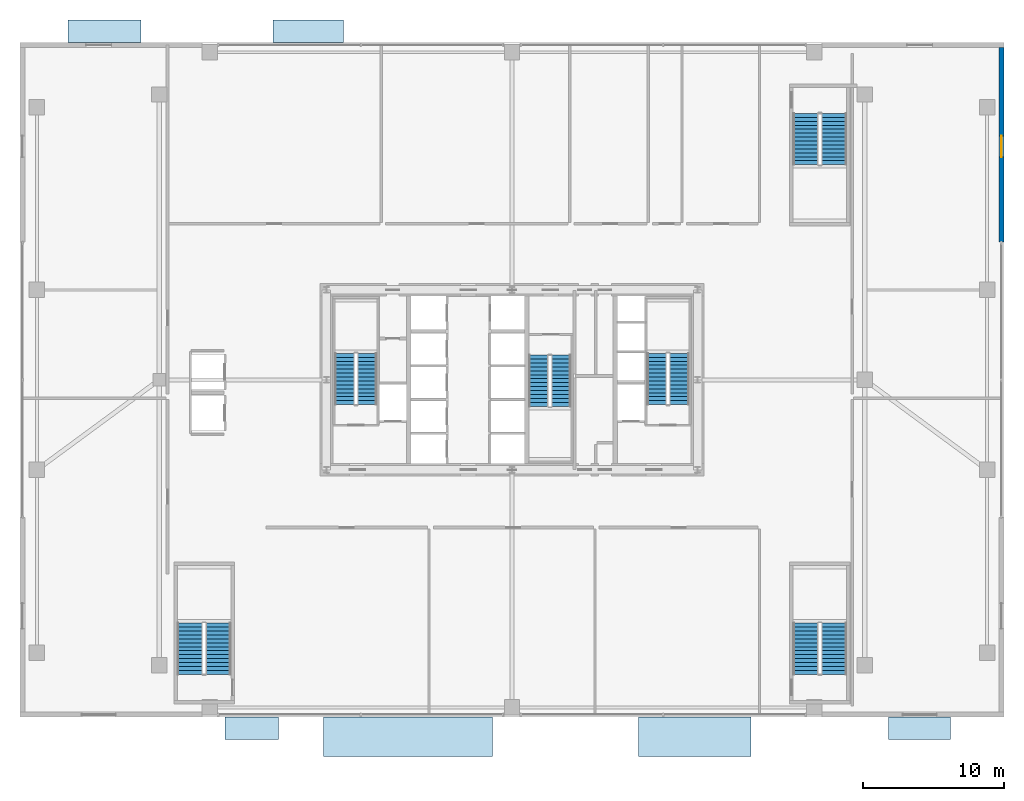
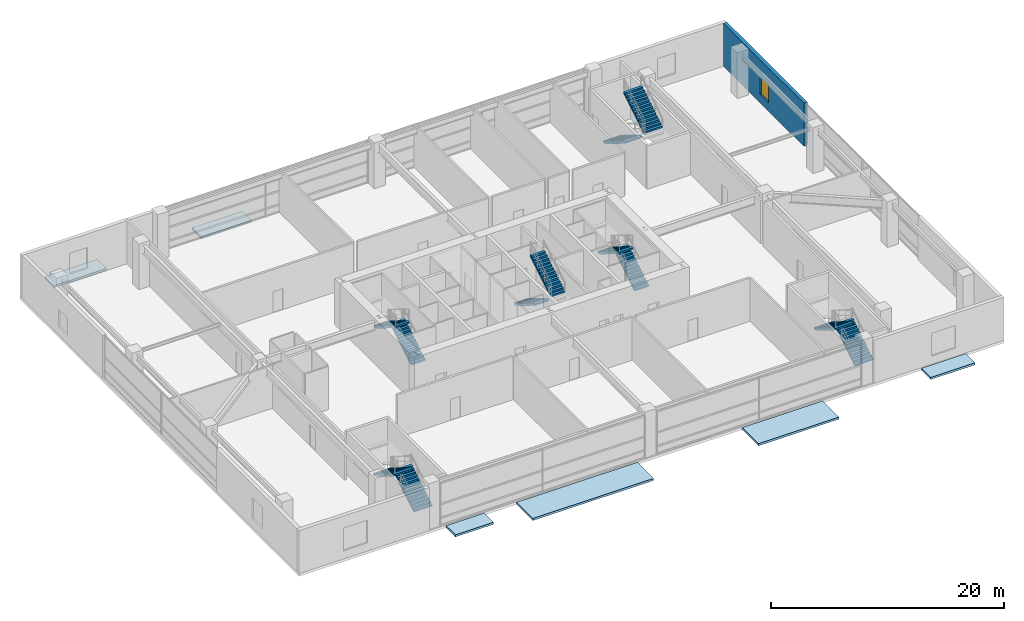
# One storey, part 34 of 37: 12 stair flights, 6 roofs, 1 wall, 1 window, 1 opening, 6 elements without a shape of their own.
"""IFC4 building model written with IfcOpenShell, lengths in metres."""

from ifc_helpers import new_model, si_unit, direction, frame, frame_2d, origin, place, context, subcontext, project, spatial, polyline, rectangle, outline, extrude, source, transform, mapped, material, layer, layer_set, type_object, element, fill, aggregate, save


model = new_model("IFC4")

# Units and contexts
model_context = context("Model", 3, precision=1e-05, world=origin(), true_north=direction((0.0, 1.0)))
body_context = subcontext(model_context, "Body", "Model", "MODEL_VIEW")
ifc_project = project(units=[si_unit("LENGTHUNIT", "METRE"), si_unit("AREAUNIT", "SQUARE_METRE"), si_unit("VOLUMEUNIT", "CUBIC_METRE"), si_unit("PLANEANGLEUNIT", "RADIAN"), si_unit("MASSUNIT", "GRAM", prefix="KILO"), si_unit("THERMODYNAMICTEMPERATUREUNIT", "KELVIN"), si_unit("POWERUNIT", "WATT")], contexts=[model_context])

# Site, building, storey
site_placement = place(None, origin())
site = spatial("IfcSite", under=ifc_project, at=site_placement, CompositionType="ELEMENT")
building_placement = place(site_placement, origin())
building = spatial("IfcBuilding", under=site, at=building_placement, Name="Yuzanri Waterfront Tower", CompositionType="ELEMENT")
storey_placement = place(building_placement, frame((0.0, 0.0, 5.39990234375)))
storey = spatial("IfcBuildingStorey", under=building, at=storey_placement, Name="L02", CompositionType="ELEMENT", Elevation=5.39990234375)

# Wall, opening, window
ifc_material_1 = material(Name="Honed Chongqing Dark Basalt Stone", Category="masonry")
ifc_layer_1 = layer(ifc_material_1, 0.360107421875)
ifc_layer_set_1 = layer_set([ifc_layer_1], Name="Honed Chongqing Dark Basalt Stone")
wall_type = type_object("IfcWallType", Name="Honed Basalt Stone Masonry-Frame Spandrel Wall 360", PredefinedType="SOLIDWALL", material=ifc_layer_set_1)
wall_placement = place(storey_placement, frame((71.820068359375, 35.60009765625, 0.0), z_axis=(0.0, 0.0, 1.0), x_axis=(0.0, 1.0, 0.0)))
wall = element("IfcWall", 1, at=wall_placement, inside=storey, type_object=wall_type, Name="L02 E North Basalt Pier", PredefinedType="SOLIDWALL", context=body_context, shape_type="SweptSolid", body=[
    extrude(rectangle(XDim=13.83984375, YDim=0.360107421875, at=frame_2d((6.919921875, 0.0))), origin(), (0.0, 0.0, 1.0), 4.52001953125),
])
opening_placement = place(wall_placement, frame((6.050048828125, 0.0, 0.89990234375)))
opening = element("IfcOpeningElement", 2, at=opening_placement, cuts=wall, Name="Opening WN-04", PredefinedType="OPENING", context=body_context, shape_type="SweptSolid", body=[
    extrude(rectangle(XDim=1.5, YDim=1.800048828125, at=frame_2d((0.75, 0.89990234375))), frame((0.0, 0.19482421875, 0.0), z_axis=(0.0, -1.0, 0.0), x_axis=(1.0, 0.0, 0.0)), (0.0, 0.0, 1.0), 0.389892578125),
])
ifc_material_2 = material(Name="Double-Silver Low-E Insulated Glass", Category="glass")
window_type = type_object("IfcWindowType", Name="Anodized Bronze Suite Operable Tilt-Turn Window 1500x1800", PartitioningType="SINGLE_PANEL", PredefinedType="WINDOW", material=ifc_material_2)
shared_shape_1 = source(origin(), body_context, "Body", "SweptSolid", [
    extrude(rectangle(XDim=1.5, YDim=1.800048828125, at=frame_2d((0.75, 0.89990234375))), frame((0.0, 0.030029296875, 0.0), z_axis=(0.0, -1.0, 0.0), x_axis=(1.0, 0.0, 0.0)), (0.0, 0.0, 1.0), 0.06005859375),
])
window_placement = place(opening_placement, origin())
window = element("IfcWindow", 3, at=window_placement, inside=storey, type_object=window_type, Name="L02 EN Window", OverallHeight=1.800048828125, OverallWidth=1.5, PartitioningType="SINGLE_PANEL", PredefinedType="WINDOW", context=body_context, shape_type="MappedRepresentation", body=[
    mapped(shared_shape_1, transform((0.0, 0.0, 0.0), scale=1.0)),
])
fill(opening, window)

# Stair, stair flights
ifc_material_3 = material(Name="Concrete C40", Category="concrete")
stair_type_1 = type_object("IfcStairType", Name="Concrete C40 Core Dogleg Exit Stair", PredefinedType="HALF_TURN_STAIR", material=ifc_material_3)
stair_1_placement = place(storey_placement, origin())
stair_1 = element("IfcStair", 4, at=stair_1_placement, inside=storey, type_object=stair_type_1, Name="L02 Smoke-Proof Core Stair ST-01", PredefinedType="HALF_TURN_STAIR")
ifc_material_4 = material(Name="Concrete C40", Category="concrete")
stair_flight_type_1 = type_object("IfcStairFlightType", Name="Concrete C40 Tall-Storey Precast Stair Flight 1380", PredefinedType="STRAIGHT", material=ifc_material_4)
shared_shape_2 = source(origin(), body_context, "Body", "SweptSolid", [
    extrude(outline(polyline([(0.0, 0.0), (0.0, 0.17138671875), (0.280029296875, 0.17138671875), (0.280029296875, 0.3427734375), (0.56005859375, 0.3427734375), (0.56005859375, 0.514404296875), (0.840087890625, 0.514404296875), (0.840087890625, 0.685791015625), (1.1201171875, 0.685791015625), (1.1201171875, 0.857177734375), (1.39990234375, 0.857177734375), (1.39990234375, 1.028564453125), (1.679931640625, 1.028564453125), (1.679931640625, 1.199951171875), (1.9599609375, 1.199951171875), (1.9599609375, 1.371337890625), (2.239990234375, 1.371337890625), (2.239990234375, 1.54296875), (2.52001953125, 1.54296875), (2.52001953125, 1.71435546875), (2.800048828125, 1.71435546875), (2.800048828125, 1.8857421875), (3.080078125, 1.8857421875), (3.080078125, 2.05712890625), (3.360107421875, 2.05712890625), (3.360107421875, 2.228515625), (3.639892578125, 2.228515625), (3.639892578125, 2.39990234375), (3.639892578125, 2.052734375), (0.287109375, 0.0), (0.0, 0.0)])), frame((0.0, 0.699951171875, 0.0), z_axis=(0.0, -1.0, 0.0), x_axis=(1.0, 0.0, 0.0)), (0.0, 0.0, 1.0), 1.39990234375),
])
stair_flight_1_placement = place(storey_placement, frame((26.699951171875, 24.0400390625, 0.0), z_axis=(0.0, 0.0, 1.0), x_axis=(0.0, 1.0, 0.0)))
stair_flight_1 = element("IfcStairFlight", 5, at=stair_flight_1_placement, type_object=stair_flight_type_1, Name="ST-01 flight 1", NumberOfRisers=14, NumberOfTreads=13, PredefinedType="STRAIGHT", RiserHeight=0.171428571, TreadLength=0.28, context=body_context, shape_type="MappedRepresentation", body=[
    mapped(shared_shape_2, transform((0.0, 0.0, 0.0), scale=1.0)),
])
stair_flight_2_placement = place(storey_placement, frame((25.10009765625, 27.679931640625, 2.400146484375), z_axis=(0.0, 0.0, 1.0), x_axis=(0.0, -1.0, 0.0)))
stair_flight_2 = element("IfcStairFlight", 6, at=stair_flight_2_placement, type_object=stair_flight_type_1, Name="ST-01 flight 2", NumberOfRisers=14, NumberOfTreads=13, PredefinedType="STRAIGHT", RiserHeight=0.171428571, TreadLength=0.28, context=body_context, shape_type="MappedRepresentation", body=[
    mapped(shared_shape_2, transform((0.0, 0.0, 0.0), scale=1.0)),
])
aggregate(stair_1, [stair_flight_1, stair_flight_2])

stair_2_placement = place(storey_placement, origin())
stair_2 = element("IfcStair", 7, at=stair_2_placement, inside=storey, type_object=stair_type_1, Name="L02 Smoke-Proof Core Stair ST-02", PredefinedType="HALF_TURN_STAIR")
stair_flight_3_placement = place(storey_placement, frame((48.89990234375, 24.0400390625, 0.0), z_axis=(0.0, 0.0, 1.0), x_axis=(0.0, 1.0, 0.0)))
stair_flight_3 = element("IfcStairFlight", 8, at=stair_flight_3_placement, type_object=stair_flight_type_1, Name="ST-02 flight 1", NumberOfRisers=14, NumberOfTreads=13, PredefinedType="STRAIGHT", RiserHeight=0.171428571, TreadLength=0.28, context=body_context, shape_type="MappedRepresentation", body=[
    mapped(shared_shape_2, transform((0.0, 0.0, 0.0), scale=1.0)),
])
stair_flight_4_placement = place(storey_placement, frame((47.300048828125, 27.679931640625, 2.400146484375), z_axis=(0.0, 0.0, 1.0), x_axis=(0.0, -1.0, 0.0)))
stair_flight_4 = element("IfcStairFlight", 9, at=stair_flight_4_placement, type_object=stair_flight_type_1, Name="ST-02 flight 2", NumberOfRisers=14, NumberOfTreads=13, PredefinedType="STRAIGHT", RiserHeight=0.171428571, TreadLength=0.28, context=body_context, shape_type="MappedRepresentation", body=[
    mapped(shared_shape_2, transform((0.0, 0.0, 0.0), scale=1.0)),
])
aggregate(stair_2, [stair_flight_3, stair_flight_4])

stair_3_placement = place(storey_placement, origin())
stair_3 = element("IfcStair", 10, at=stair_3_placement, inside=storey, type_object=stair_type_1, Name="L02 Smoke-Proof Core Stair ST-03", PredefinedType="HALF_TURN_STAIR")
stair_flight_5_placement = place(storey_placement, frame((38.89990234375, 27.56005859375, 0.0), z_axis=(0.0, 0.0, 1.0), x_axis=(0.0, -1.0, 0.0)))
stair_flight_5 = element("IfcStairFlight", 11, at=stair_flight_5_placement, type_object=stair_flight_type_1, Name="ST-03 flight 1", NumberOfRisers=14, NumberOfTreads=13, PredefinedType="STRAIGHT", RiserHeight=0.171428571, TreadLength=0.28, context=body_context, shape_type="MappedRepresentation", body=[
    mapped(shared_shape_2, transform((0.0, 0.0, 0.0), scale=1.0)),
])
stair_flight_6_placement = place(storey_placement, frame((40.5, 23.919921875, 2.400146484375), z_axis=(0.0, 0.0, 1.0), x_axis=(0.0, 1.0, 0.0)))
stair_flight_6 = element("IfcStairFlight", 12, at=stair_flight_6_placement, type_object=stair_flight_type_1, Name="ST-03 flight 2", NumberOfRisers=14, NumberOfTreads=13, PredefinedType="STRAIGHT", RiserHeight=0.171428571, TreadLength=0.28, context=body_context, shape_type="MappedRepresentation", body=[
    mapped(shared_shape_2, transform((0.0, 0.0, 0.0), scale=1.0)),
])
aggregate(stair_3, [stair_flight_5, stair_flight_6])

ifc_material_5 = material(Name="Concrete C40", Category="concrete")
stair_type_2 = type_object("IfcStairType", Name="Concrete C40 Podium Dogleg Exit Stair", PredefinedType="HALF_TURN_STAIR", material=ifc_material_5)
stair_4_placement = place(storey_placement, origin())
stair_4 = element("IfcStair", 13, at=stair_4_placement, inside=storey, type_object=stair_type_2, Name="L02 Podium Public Exit Stair PST-01", PredefinedType="HALF_TURN_STAIR")
ifc_material_6 = material(Name="Concrete C40", Category="concrete")
stair_flight_type_2 = type_object("IfcStairFlightType", Name="Concrete C40 Precast Podium Stair Flight 1400", PredefinedType="STRAIGHT", material=ifc_material_6)
shared_shape_3 = source(origin(), body_context, "Body", "SweptSolid", [
    extrude(outline(polyline([(0.0, 0.0), (0.0, 0.17138671875), (0.280029296875, 0.17138671875), (0.280029296875, 0.3427734375), (0.56005859375, 0.3427734375), (0.56005859375, 0.514404296875), (0.840087890625, 0.514404296875), (0.840087890625, 0.685791015625), (1.1201171875, 0.685791015625), (1.1201171875, 0.857177734375), (1.39990234375, 0.857177734375), (1.39990234375, 1.028564453125), (1.679931640625, 1.028564453125), (1.679931640625, 1.199951171875), (1.9599609375, 1.199951171875), (1.9599609375, 1.371337890625), (2.239990234375, 1.371337890625), (2.239990234375, 1.54296875), (2.52001953125, 1.54296875), (2.52001953125, 1.71435546875), (2.800048828125, 1.71435546875), (2.800048828125, 1.8857421875), (3.080078125, 1.8857421875), (3.080078125, 2.05712890625), (3.360107421875, 2.05712890625), (3.360107421875, 2.228515625), (3.639892578125, 2.228515625), (3.639892578125, 2.39990234375), (3.639892578125, 2.052734375), (0.287109375, 0.0), (0.0, 0.0)])), frame((0.0, 0.89990234375, 0.0), z_axis=(0.0, -1.0, 0.0), x_axis=(1.0, 0.0, 0.0)), (0.0, 0.0, 1.0), 1.800048828125),
])
stair_flight_7_placement = place(storey_placement, frame((16.10009765625, 4.85009765625, 0.0), z_axis=(0.0, 0.0, 1.0), x_axis=(0.0, 1.0, 0.0)))
stair_flight_7 = element("IfcStairFlight", 14, at=stair_flight_7_placement, type_object=stair_flight_type_2, Name="PST-01 flight 1", NumberOfRisers=14, NumberOfTreads=13, PredefinedType="STRAIGHT", RiserHeight=0.171428571, TreadLength=0.28, context=body_context, shape_type="MappedRepresentation", body=[
    mapped(shared_shape_3, transform((0.0, 0.0, 0.0), scale=1.0)),
])
stair_flight_8_placement = place(storey_placement, frame((14.10009765625, 8.489990234375, 2.400146484375), z_axis=(0.0, 0.0, 1.0), x_axis=(0.0, -1.0, 0.0)))
stair_flight_8 = element("IfcStairFlight", 15, at=stair_flight_8_placement, type_object=stair_flight_type_2, Name="PST-01 flight 2", NumberOfRisers=14, NumberOfTreads=13, PredefinedType="STRAIGHT", RiserHeight=0.171428571, TreadLength=0.28, context=body_context, shape_type="MappedRepresentation", body=[
    mapped(shared_shape_3, transform((0.0, 0.0, 0.0), scale=1.0)),
])
aggregate(stair_4, [stair_flight_7, stair_flight_8])

stair_5_placement = place(storey_placement, origin())
stair_5 = element("IfcStair", 16, at=stair_5_placement, inside=storey, type_object=stair_type_2, Name="L02 Podium Public Exit Stair PST-02", PredefinedType="HALF_TURN_STAIR")
stair_flight_9_placement = place(storey_placement, frame((59.89990234375, 4.85009765625, 0.0), z_axis=(0.0, 0.0, 1.0), x_axis=(0.0, 1.0, 0.0)))
stair_flight_9 = element("IfcStairFlight", 17, at=stair_flight_9_placement, type_object=stair_flight_type_2, Name="PST-02 flight 1", NumberOfRisers=14, NumberOfTreads=13, PredefinedType="STRAIGHT", RiserHeight=0.171428571, TreadLength=0.28, context=body_context, shape_type="MappedRepresentation", body=[
    mapped(shared_shape_3, transform((0.0, 0.0, 0.0), scale=1.0)),
])
stair_flight_10_placement = place(storey_placement, frame((57.89990234375, 8.489990234375, 2.400146484375), z_axis=(0.0, 0.0, 1.0), x_axis=(0.0, -1.0, 0.0)))
stair_flight_10 = element("IfcStairFlight", 18, at=stair_flight_10_placement, type_object=stair_flight_type_2, Name="PST-02 flight 2", NumberOfRisers=14, NumberOfTreads=13, PredefinedType="STRAIGHT", RiserHeight=0.171428571, TreadLength=0.28, context=body_context, shape_type="MappedRepresentation", body=[
    mapped(shared_shape_3, transform((0.0, 0.0, 0.0), scale=1.0)),
])
aggregate(stair_5, [stair_flight_9, stair_flight_10])

stair_6_placement = place(storey_placement, origin())
stair_6 = element("IfcStair", 19, at=stair_6_placement, inside=storey, type_object=stair_type_2, Name="L02 Podium Public Exit Stair PST-03", PredefinedType="HALF_TURN_STAIR")
stair_flight_11_placement = place(storey_placement, frame((57.89990234375, 44.75, 0.0), z_axis=(0.0, 0.0, 1.0), x_axis=(0.0, -1.0, 0.0)))
stair_flight_11 = element("IfcStairFlight", 20, at=stair_flight_11_placement, type_object=stair_flight_type_2, Name="PST-03 flight 1", NumberOfRisers=14, NumberOfTreads=13, PredefinedType="STRAIGHT", RiserHeight=0.171428571, TreadLength=0.28, context=body_context, shape_type="MappedRepresentation", body=[
    mapped(shared_shape_3, transform((0.0, 0.0, 0.0), scale=1.0)),
])
stair_flight_12_placement = place(storey_placement, frame((59.89990234375, 41.110107421875, 2.400146484375), z_axis=(0.0, 0.0, 1.0), x_axis=(0.0, 1.0, 0.0)))
stair_flight_12 = element("IfcStairFlight", 21, at=stair_flight_12_placement, type_object=stair_flight_type_2, Name="PST-03 flight 2", NumberOfRisers=14, NumberOfTreads=13, PredefinedType="STRAIGHT", RiserHeight=0.171428571, TreadLength=0.28, context=body_context, shape_type="MappedRepresentation", body=[
    mapped(shared_shape_3, transform((0.0, 0.0, 0.0), scale=1.0)),
])
aggregate(stair_6, [stair_flight_11, stair_flight_12])

# Roofs
ifc_material_7 = material(Name="Anodized Architectural Bronze", Category="metal")
ifc_layer_2 = layer(ifc_material_7, 0.219970703125)
ifc_layer_set_2 = layer_set([ifc_layer_2], Name="Anodized Architectural Bronze")
roof_type = type_object("IfcRoofType", Name="Architectural Bronze Entrance Canopy Soffit 220", PredefinedType="FLAT_ROOF", material=ifc_layer_set_2)
roof_1_placement = place(storey_placement, frame((0.0, 0.0, -0.27978515625)))
element("IfcRoof", 22, at=roof_1_placement, inside=storey, type_object=roof_type, Name="L02 Entrance Canopy S1", PredefinedType="FLAT_ROOF", context=body_context, shape_type="SweptSolid", body=[
    extrude(outline(polyline([(23.60009765625, -1.0), (35.60009765625, -1.0), (35.60009765625, 1.800048828125), (23.60009765625, 1.800048828125), (23.60009765625, -1.0)])), origin(), (0.0, 0.0, 1.0), 0.219970703125),
])
roof_2_placement = place(storey_placement, frame((0.0, 0.0, -0.27978515625)))
element("IfcRoof", 23, at=roof_2_placement, inside=storey, type_object=roof_type, Name="L02 Entrance Canopy S2", PredefinedType="FLAT_ROOF", context=body_context, shape_type="SweptSolid", body=[
    extrude(outline(polyline([(46.0, -1.0), (54.0, -1.0), (54.0, 1.800048828125), (46.0, 1.800048828125), (46.0, -1.0)])), origin(), (0.0, 0.0, 1.0), 0.219970703125),
])
roof_3_placement = place(storey_placement, frame((0.0, 0.0, -0.27978515625)))
element("IfcRoof", 24, at=roof_3_placement, inside=storey, type_object=roof_type, Name="L02 Entrance Canopy S3", PredefinedType="FLAT_ROOF", context=body_context, shape_type="SweptSolid", body=[
    extrude(outline(polyline([(16.60009765625, 0.199951171875), (20.39990234375, 0.199951171875), (20.39990234375, 1.800048828125), (16.60009765625, 1.800048828125), (16.60009765625, 0.199951171875)])), origin(), (0.0, 0.0, 1.0), 0.219970703125),
])
roof_4_placement = place(storey_placement, frame((0.0, 0.0, -0.27978515625)))
element("IfcRoof", 25, at=roof_4_placement, inside=storey, type_object=roof_type, Name="L02 Entrance Canopy S4", PredefinedType="FLAT_ROOF", context=body_context, shape_type="SweptSolid", body=[
    extrude(outline(polyline([(63.800048828125, 0.199951171875), (68.199951171875, 0.199951171875), (68.199951171875, 1.800048828125), (63.800048828125, 1.800048828125), (63.800048828125, 0.199951171875)])), origin(), (0.0, 0.0, 1.0), 0.219970703125),
])
roof_5_placement = place(storey_placement, frame((0.0, 0.0, -0.27978515625)))
element("IfcRoof", 26, at=roof_5_placement, inside=storey, type_object=roof_type, Name="L02 Entrance Canopy N1", PredefinedType="FLAT_ROOF", context=body_context, shape_type="SweptSolid", body=[
    extrude(outline(polyline([(20.0, 49.800048828125), (25.0, 49.800048828125), (25.0, 51.39990234375), (20.0, 51.39990234375), (20.0, 49.800048828125)])), origin(), (0.0, 0.0, 1.0), 0.219970703125),
])
roof_6_placement = place(storey_placement, frame((0.0, 0.0, -0.27978515625)))
element("IfcRoof", 27, at=roof_6_placement, inside=storey, type_object=roof_type, Name="L02 Entrance Canopy N2", PredefinedType="FLAT_ROOF", context=body_context, shape_type="SweptSolid", body=[
    extrude(outline(polyline([(5.39990234375, 49.800048828125), (10.60009765625, 49.800048828125), (10.60009765625, 51.39990234375), (5.39990234375, 51.39990234375), (5.39990234375, 49.800048828125)])), origin(), (0.0, 0.0, 1.0), 0.219970703125),
])

save(model, "model.ifc")
